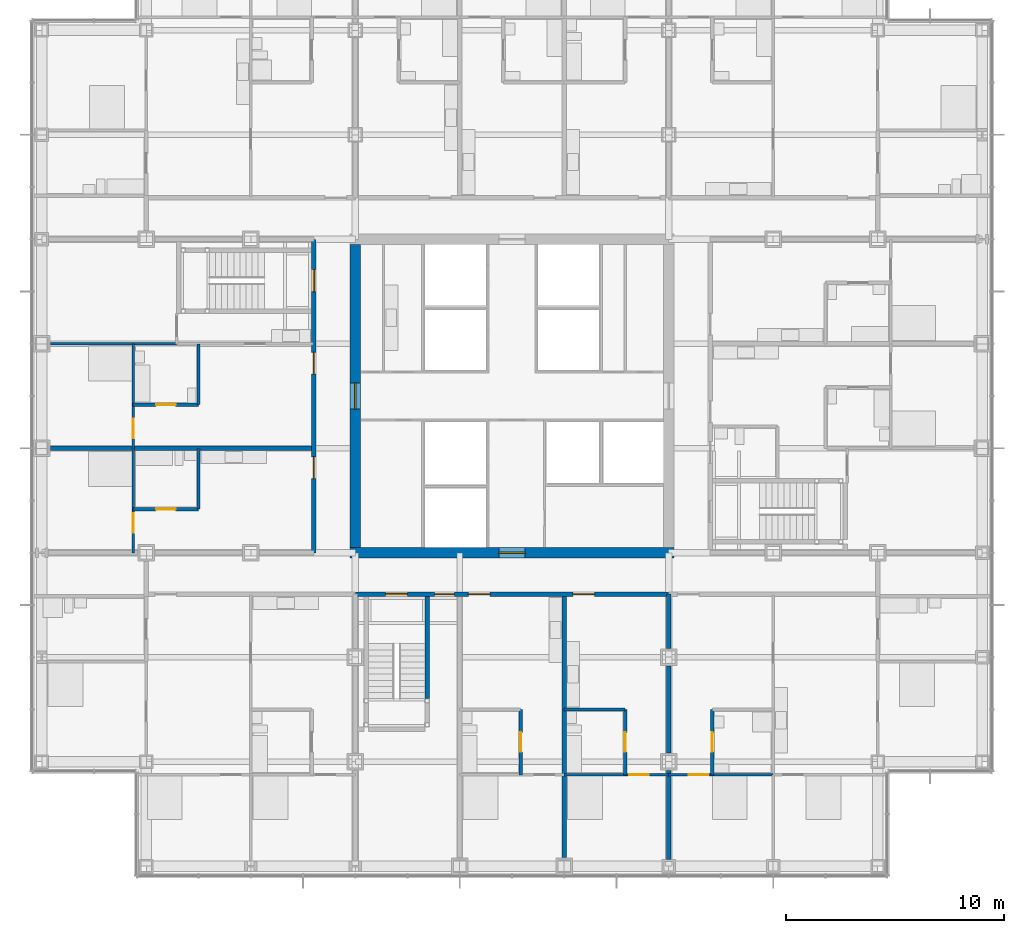
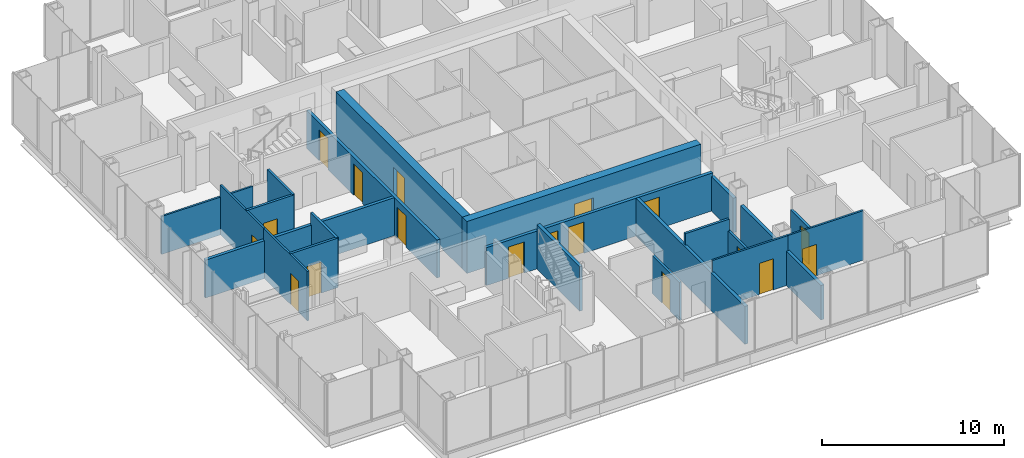
# One storey, part 14 of 21: 23 walls, 18 doors, 18 openings.
"""IFC4 building model written with IfcOpenShell, lengths in metres."""

from ifc_helpers import new_model, si_unit, direction, frame, frame_2d, origin, place, context, subcontext, project, spatial, rectangle, extrude, material, layer, layer_set, type_object, element, fill, save


model = new_model("IFC4")

# Units and contexts
model_context = context("Model", 3, precision=1e-05, world=origin(), true_north=direction((0.0, 1.0)))
body_context = subcontext(model_context, "Body", "Model", "MODEL_VIEW")
ifc_project = project(units=[si_unit("LENGTHUNIT", "METRE"), si_unit("AREAUNIT", "SQUARE_METRE"), si_unit("VOLUMEUNIT", "CUBIC_METRE"), si_unit("PLANEANGLEUNIT", "RADIAN"), si_unit("MASSUNIT", "GRAM", prefix="KILO")], contexts=[model_context])

# Site, building, storey
site_placement = place(None, origin())
site = spatial("IfcSite", under=ifc_project, at=site_placement, CompositionType="ELEMENT")
building_placement = place(site_placement, origin())
building = spatial("IfcBuilding", under=site, at=building_placement, Name="Kvirike Care Tower", CompositionType="ELEMENT")
storey_placement = place(building_placement, frame((0.0, 0.0, 51.5)))
storey = spatial("IfcBuildingStorey", under=building, at=storey_placement, Name="L13", CompositionType="ELEMENT", Elevation=51.5)

# Wall, opening, door
ifc_material_1 = material(Name="Moisture-resistant board partition", Category="gypsum")
ifc_layer_1 = layer(ifc_material_1, 0.14990234375)
ifc_layer_set_1 = layer_set([ifc_layer_1], Name="BATHROOM WALL 150")
wall_type_1 = type_object("IfcWallType", Name="BATHROOM WALL 150", PredefinedType="PARTITIONING", material=ifc_layer_set_1)
wall_1_placement = place(storey_placement, frame((4.199951171875, 35.60009765625, 0.0), z_axis=(0.0, 0.0, 1.0), x_axis=(1.0, 0.0, 0.0)))
wall_1 = element("IfcWall", 1, at=wall_1_placement, inside=storey, type_object=wall_type_1, Name="Bathroom Wall 150 L13", PredefinedType="PARTITIONING", context=body_context, shape_type="SweptSolid", body=[
    extrude(rectangle(XDim=3.0, YDim=0.14990234375, at=frame_2d((1.5, 0.0))), origin(), (0.0, 0.0, 1.0), 3.330078125),
])
opening_1_placement = place(wall_1_placement, frame((1.050048828125, 0.0, 0.0)))
opening_1 = element("IfcOpeningElement", 2, at=opening_1_placement, cuts=wall_1, Name="Opening 13-008", PredefinedType="OPENING", context=body_context, shape_type="SweptSolid", body=[
    extrude(rectangle(XDim=0.89990234375, YDim=2.10009765625, at=frame_2d((0.449951171875, 1.050048828125))), frame((0.0, 0.08544921875, 0.0), z_axis=(0.0, -1.0, 0.0), x_axis=(1.0, 0.0, 0.0)), (0.0, 0.0, 1.0), 0.1708984375),
])
ifc_material_2 = material(Name="Timber door set", Category="wood")
door_type_1 = type_object("IfcDoorType", Name="BATHROOM DOOR 900", OperationType="SINGLE_SWING_RIGHT", PredefinedType="DOOR", material=ifc_material_2)
door_1_placement = place(opening_1_placement, origin())
door_1 = element("IfcDoor", 3, at=door_1_placement, inside=storey, type_object=door_type_1, Name="Bathroom door", OperationType="SINGLE_SWING_RIGHT", OverallHeight=2.10009765625, OverallWidth=0.89990234375, PredefinedType="DOOR", context=body_context, shape_type="SweptSolid", body=[
    extrude(rectangle(XDim=0.89990234375, YDim=2.10009765625, at=frame_2d((0.449951171875, 1.050048828125))), frame((0.0, 0.02197265625, 0.0), z_axis=(0.0, -1.0, 0.0), x_axis=(1.0, 0.0, 0.0)), (0.0, 0.0, 1.0), 0.0439453125),
])
fill(opening_1, door_1)

# Wall
wall_2_placement = place(storey_placement, frame((7.199951171875, 38.39990234375, 0.0), z_axis=(0.0, 0.0, 1.0), x_axis=(0.0, -1.0, 0.0)))
element("IfcWall", 4, at=wall_2_placement, inside=storey, type_object=wall_type_1, Name="Bathroom Wall 150 L13", PredefinedType="PARTITIONING", context=body_context, shape_type="SweptSolid", body=[
    extrude(rectangle(XDim=2.7998046875, YDim=0.14990234375, at=frame_2d((1.39990234375, 0.0))), origin(), (0.0, 0.0, 1.0), 3.330078125),
])

# Wall, opening, door
wall_3_placement = place(storey_placement, frame((4.199951171875, 30.800048828125, 0.0), z_axis=(0.0, 0.0, 1.0), x_axis=(1.0, 0.0, 0.0)))
wall_3 = element("IfcWall", 5, at=wall_3_placement, inside=storey, type_object=wall_type_1, Name="Bathroom Wall 150 L13", PredefinedType="PARTITIONING", context=body_context, shape_type="SweptSolid", body=[
    extrude(rectangle(XDim=3.0, YDim=0.14990234375, at=frame_2d((1.5, 0.0))), origin(), (0.0, 0.0, 1.0), 3.330078125),
])
opening_2_placement = place(wall_3_placement, frame((1.050048828125, 0.0, 0.0)))
opening_2 = element("IfcOpeningElement", 6, at=opening_2_placement, cuts=wall_3, Name="Opening 13-012", PredefinedType="OPENING", context=body_context, shape_type="SweptSolid", body=[
    extrude(rectangle(XDim=0.89990234375, YDim=2.10009765625, at=frame_2d((0.449951171875, 1.050048828125))), frame((0.0, 0.08544921875, 0.0), z_axis=(0.0, -1.0, 0.0), x_axis=(1.0, 0.0, 0.0)), (0.0, 0.0, 1.0), 0.1708984375),
])
door_2_placement = place(opening_2_placement, origin())
door_2 = element("IfcDoor", 7, at=door_2_placement, inside=storey, type_object=door_type_1, Name="Bathroom door", OperationType="SINGLE_SWING_RIGHT", OverallHeight=2.10009765625, OverallWidth=0.89990234375, PredefinedType="DOOR", context=body_context, shape_type="SweptSolid", body=[
    extrude(rectangle(XDim=0.89990234375, YDim=2.10009765625, at=frame_2d((0.449951171875, 1.050048828125))), frame((0.0, 0.02197265625, 0.0), z_axis=(0.0, -1.0, 0.0), x_axis=(1.0, 0.0, 0.0)), (0.0, 0.0, 1.0), 0.0439453125),
])
fill(opening_2, door_2)

# Wall
wall_4_placement = place(storey_placement, frame((7.199951171875, 33.60009765625, 0.0), z_axis=(0.0, 0.0, 1.0), x_axis=(0.0, -1.0, 0.0)))
element("IfcWall", 8, at=wall_4_placement, inside=storey, type_object=wall_type_1, Name="Bathroom Wall 150 L13", PredefinedType="PARTITIONING", context=body_context, shape_type="SweptSolid", body=[
    extrude(rectangle(XDim=2.800048828125, YDim=0.14990234375, at=frame_2d((1.39990234375, 0.0))), origin(), (0.0, 0.0, 1.0), 3.330078125),
])

# Wall, opening, door
wall_5_placement = place(storey_placement, frame((22.0, 18.60009765625, 0.0), z_axis=(0.0, 0.0, 1.0), x_axis=(0.0, 1.0, 0.0)))
wall_5 = element("IfcWall", 9, at=wall_5_placement, inside=storey, type_object=wall_type_1, Name="Bathroom Wall 150 L13", PredefinedType="PARTITIONING", context=body_context, shape_type="SweptSolid", body=[
    extrude(rectangle(XDim=3.0, YDim=0.14990234375, at=frame_2d((1.5, 0.0))), origin(), (0.0, 0.0, 1.0), 2.550048828125),
])
opening_3_placement = place(wall_5_placement, frame((1.050048828125, 0.0, 0.0)))
opening_3 = element("IfcOpeningElement", 10, at=opening_3_placement, cuts=wall_5, Name="Opening 13-024", PredefinedType="OPENING", context=body_context, shape_type="SweptSolid", body=[
    extrude(rectangle(XDim=0.89990234375, YDim=2.10009765625, at=frame_2d((0.449951171875, 1.050048828125))), frame((0.0, 0.08544921875, 0.0), z_axis=(0.0, -1.0, 0.0), x_axis=(1.0, 0.0, 0.0)), (0.0, 0.0, 1.0), 0.1708984375),
])
door_3_placement = place(opening_3_placement, origin())
door_3 = element("IfcDoor", 11, at=door_3_placement, inside=storey, type_object=door_type_1, Name="Bathroom door", OperationType="SINGLE_SWING_LEFT", OverallHeight=2.10009765625, OverallWidth=0.89990234375, PredefinedType="DOOR", context=body_context, shape_type="SweptSolid", body=[
    extrude(rectangle(XDim=0.89990234375, YDim=2.10009765625, at=frame_2d((0.449951171875, 1.050048828125))), frame((0.0, 0.02197265625, 0.0), z_axis=(0.0, -1.0, 0.0), x_axis=(1.0, 0.0, 0.0)), (0.0, 0.0, 1.0), 0.0439453125),
])
fill(opening_3, door_3)

wall_6_placement = place(storey_placement, frame((26.800048828125, 18.60009765625, 0.0), z_axis=(0.0, 0.0, 1.0), x_axis=(0.0, 1.0, 0.0)))
wall_6 = element("IfcWall", 12, at=wall_6_placement, inside=storey, type_object=wall_type_1, Name="Bathroom Wall 150 L13", PredefinedType="PARTITIONING", context=body_context, shape_type="SweptSolid", body=[
    extrude(rectangle(XDim=3.0, YDim=0.14990234375, at=frame_2d((1.5, 0.0))), origin(), (0.0, 0.0, 1.0), 2.550048828125),
])
opening_4_placement = place(wall_6_placement, frame((1.050048828125, 0.0, 0.0)))
opening_4 = element("IfcOpeningElement", 13, at=opening_4_placement, cuts=wall_6, Name="Opening 13-026", PredefinedType="OPENING", context=body_context, shape_type="SweptSolid", body=[
    extrude(rectangle(XDim=0.89990234375, YDim=2.10009765625, at=frame_2d((0.449951171875, 1.050048828125))), frame((0.0, 0.08544921875, 0.0), z_axis=(0.0, -1.0, 0.0), x_axis=(1.0, 0.0, 0.0)), (0.0, 0.0, 1.0), 0.1708984375),
])
door_4_placement = place(opening_4_placement, origin())
door_4 = element("IfcDoor", 14, at=door_4_placement, inside=storey, type_object=door_type_1, Name="Bathroom door", OperationType="SINGLE_SWING_RIGHT", OverallHeight=2.10009765625, OverallWidth=0.89990234375, PredefinedType="DOOR", context=body_context, shape_type="SweptSolid", body=[
    extrude(rectangle(XDim=0.89990234375, YDim=2.10009765625, at=frame_2d((0.449951171875, 1.050048828125))), frame((0.0, 0.02197265625, 0.0), z_axis=(0.0, -1.0, 0.0), x_axis=(1.0, 0.0, 0.0)), (0.0, 0.0, 1.0), 0.0439453125),
])
fill(opening_4, door_4)

# Wall
wall_7_placement = place(storey_placement, frame((24.0, 21.60009765625, 0.0), z_axis=(0.0, 0.0, 1.0), x_axis=(1.0, 0.0, 0.0)))
element("IfcWall", 15, at=wall_7_placement, inside=storey, type_object=wall_type_1, Name="Bathroom Wall 150 L13", PredefinedType="PARTITIONING", context=body_context, shape_type="SweptSolid", body=[
    extrude(rectangle(XDim=2.800048828125, YDim=0.14990234375, at=frame_2d((1.39990234375, 0.0))), origin(), (0.0, 0.0, 1.0), 3.330078125),
])

# Wall, opening, door
wall_8_placement = place(storey_placement, frame((30.800048828125, 18.60009765625, 0.0), z_axis=(0.0, 0.0, 1.0), x_axis=(0.0, 1.0, 0.0)))
wall_8 = element("IfcWall", 16, at=wall_8_placement, inside=storey, type_object=wall_type_1, Name="Bathroom Wall 150 L13", PredefinedType="PARTITIONING", context=body_context, shape_type="SweptSolid", body=[
    extrude(rectangle(XDim=3.0, YDim=0.14990234375, at=frame_2d((1.5, 0.0))), origin(), (0.0, 0.0, 1.0), 2.550048828125),
])
opening_5_placement = place(wall_8_placement, frame((1.050048828125, 0.0, 0.0)))
opening_5 = element("IfcOpeningElement", 17, at=opening_5_placement, cuts=wall_8, Name="Opening 13-041", PredefinedType="OPENING", context=body_context, shape_type="SweptSolid", body=[
    extrude(rectangle(XDim=0.89990234375, YDim=2.10009765625, at=frame_2d((0.449951171875, 1.050048828125))), frame((0.0, 0.08544921875, 0.0), z_axis=(0.0, -1.0, 0.0), x_axis=(1.0, 0.0, 0.0)), (0.0, 0.0, 1.0), 0.1708984375),
])
door_5_placement = place(opening_5_placement, frame((0.89990234375, 0.0, 0.0), z_axis=(0.0, 0.0, 1.0), x_axis=(-1.0, 0.0, 0.0)))
door_5 = element("IfcDoor", 18, at=door_5_placement, inside=storey, type_object=door_type_1, Name="Shower room door", OperationType="SINGLE_SWING_LEFT", OverallHeight=2.10009765625, OverallWidth=0.89990234375, PredefinedType="DOOR", context=body_context, shape_type="SweptSolid", body=[
    extrude(rectangle(XDim=0.89990234375, YDim=2.10009765625, at=frame_2d((0.449951171875, 1.050048828125))), frame((0.0, 0.02197265625, 0.0), z_axis=(0.0, -1.0, 0.0), x_axis=(1.0, 0.0, 0.0)), (0.0, 0.0, 1.0), 0.0439453125),
])
fill(opening_5, door_5)

ifc_material_3 = material(Name="Concrete C60/75", Category="concrete")
ifc_layer_2 = layer(ifc_material_3, 0.5)
ifc_layer_set_2 = layer_set([ifc_layer_2], Name="CORE WALL 500 C60-75")
wall_type_2 = type_object("IfcWallType", Name="CORE WALL 500 C60-75", PredefinedType="SHEAR", material=ifc_layer_set_2)
wall_9_placement = place(storey_placement, frame((14.14990234375, 28.800048828125, -0.169921875), z_axis=(0.0, 0.0, 1.0), x_axis=(1.0, 0.0, 0.0)))
wall_9 = element("IfcWall", 19, at=wall_9_placement, inside=storey, type_object=wall_type_2, Name="Core wall S L13", PredefinedType="SHEAR", context=body_context, shape_type="SweptSolid", body=[
    extrude(rectangle(XDim=14.900146484375, YDim=0.5, at=frame_2d((7.4501953125, 0.0))), origin(), (0.0, 0.0, 1.0), 3.5),
])
opening_6_placement = place(wall_9_placement, frame((6.85009765625, 0.0, 0.169921875)))
opening_6 = element("IfcOpeningElement", 20, at=opening_6_placement, cuts=wall_9, Name="Opening 13-075", PredefinedType="OPENING", context=body_context, shape_type="SweptSolid", body=[
    extrude(rectangle(XDim=1.199951171875, YDim=2.10009765625, at=frame_2d((0.60009765625, 1.050048828125))), frame((0.0, 0.260498046875, 0.0), z_axis=(0.0, -1.0, 0.0), x_axis=(1.0, 0.0, 0.0)), (0.0, 0.0, 1.0), 0.52099609375),
])
ifc_material_4 = material(Name="Timber door set", Category="wood")
door_type_2 = type_object("IfcDoorType", Name="CORE DOOR 1200", OperationType="SINGLE_SWING_LEFT", PredefinedType="DOOR", material=ifc_material_4)
door_6_placement = place(opening_6_placement, origin())
door_6 = element("IfcDoor", 21, at=door_6_placement, inside=storey, type_object=door_type_2, Name="Core door S L13", OperationType="SINGLE_SWING_LEFT", OverallHeight=2.10009765625, OverallWidth=1.199951171875, PredefinedType="DOOR", context=body_context, shape_type="SweptSolid", body=[
    extrude(rectangle(XDim=1.199951171875, YDim=2.10009765625, at=frame_2d((0.60009765625, 1.050048828125))), frame((0.0, 0.02685546875, 0.0), z_axis=(0.0, -1.0, 0.0), x_axis=(1.0, 0.0, 0.0)), (0.0, 0.0, 1.0), 0.053955078125),
])
fill(opening_6, door_6)

wall_10_placement = place(storey_placement, frame((14.39990234375, 42.949951171875, -0.169921875), z_axis=(0.0, 0.0, 1.0), x_axis=(0.0, -1.0, 0.0)))
wall_10 = element("IfcWall", 22, at=wall_10_placement, inside=storey, type_object=wall_type_2, Name="Core wall W L13", PredefinedType="SHEAR", context=body_context, shape_type="SweptSolid", body=[
    extrude(rectangle(XDim=13.89990234375, YDim=0.5, at=frame_2d((6.949951171875, 0.0))), origin(), (0.0, 0.0, 1.0), 3.5),
])
opening_7_placement = place(wall_10_placement, frame((6.35009765625, 0.0, 0.169921875)))
opening_7 = element("IfcOpeningElement", 23, at=opening_7_placement, cuts=wall_10, Name="Opening 13-076", PredefinedType="OPENING", context=body_context, shape_type="SweptSolid", body=[
    extrude(rectangle(XDim=1.199951171875, YDim=2.10009765625, at=frame_2d((0.60009765625, 1.050048828125))), frame((0.0, 0.260498046875, 0.0), z_axis=(0.0, -1.0, 0.0), x_axis=(1.0, 0.0, 0.0)), (0.0, 0.0, 1.0), 0.52099609375),
])
door_7_placement = place(opening_7_placement, origin())
door_7 = element("IfcDoor", 24, at=door_7_placement, inside=storey, type_object=door_type_2, Name="Core door W L13", OperationType="SINGLE_SWING_LEFT", OverallHeight=2.10009765625, OverallWidth=1.199951171875, PredefinedType="DOOR", context=body_context, shape_type="SweptSolid", body=[
    extrude(rectangle(XDim=1.199951171875, YDim=2.10009765625, at=frame_2d((0.60009765625, 1.050048828125))), frame((0.0, 0.02685546875, 0.0), z_axis=(0.0, -1.0, 0.0), x_axis=(1.0, 0.0, 0.0)), (0.0, 0.0, 1.0), 0.053955078125),
])
fill(opening_7, door_7)

# Wall, openings, doors
ifc_material_5 = material(Name="Plasterboard corridor wall", Category="gypsum")
ifc_layer_3 = layer(ifc_material_5, 0.199951171875)
ifc_layer_set_3 = layer_set([ifc_layer_3], Name="CORRIDOR WALL 200")
wall_type_3 = type_object("IfcWallType", Name="CORRIDOR WALL 200", PredefinedType="PARTITIONING", material=ifc_layer_set_3)
wall_11_placement = place(storey_placement, frame((12.5, 43.199951171875, 0.0), z_axis=(0.0, 0.0, 1.0), x_axis=(0.0, -1.0, 0.0)))
wall_11 = element("IfcWall", 25, at=wall_11_placement, inside=storey, type_object=wall_type_3, Name="Corridor Wall 200 L13", PredefinedType="PARTITIONING", context=body_context, shape_type="SweptSolid", body=[
    extrude(rectangle(XDim=14.39990234375, YDim=0.199951171875, at=frame_2d((7.199951171875, 0.0))), origin(), (0.0, 0.0, 1.0), 2.550048828125),
])
opening_8_placement = place(wall_11_placement, frame((1.39990234375, 0.0, 0.0)))
opening_8 = element("IfcOpeningElement", 26, at=opening_8_placement, cuts=wall_11, Name="Opening 13-014", PredefinedType="OPENING", context=body_context, shape_type="SweptSolid", body=[
    extrude(rectangle(XDim=1.0, YDim=2.10009765625, at=frame_2d((0.5, 1.050048828125))), frame((0.0, 0.110595703125, 0.0), z_axis=(0.0, -1.0, 0.0), x_axis=(1.0, 0.0, 0.0)), (0.0, 0.0, 1.0), 0.220947265625),
])
opening_9_placement = place(wall_11_placement, frame((5.199951171875, 0.0, 0.0)))
opening_9 = element("IfcOpeningElement", 27, at=opening_9_placement, cuts=wall_11, Name="Opening 13-015", PredefinedType="OPENING", context=body_context, shape_type="SweptSolid", body=[
    extrude(rectangle(XDim=1.0, YDim=2.10009765625, at=frame_2d((0.5, 1.050048828125))), frame((0.0, 0.110595703125, 0.0), z_axis=(0.0, -1.0, 0.0), x_axis=(1.0, 0.0, 0.0)), (0.0, 0.0, 1.0), 0.220947265625),
])
opening_10_placement = place(wall_11_placement, frame((10.0, 0.0, 0.0)))
opening_10 = element("IfcOpeningElement", 28, at=opening_10_placement, cuts=wall_11, Name="Opening 13-016", PredefinedType="OPENING", context=body_context, shape_type="SweptSolid", body=[
    extrude(rectangle(XDim=1.0, YDim=2.10009765625, at=frame_2d((0.5, 1.050048828125))), frame((0.0, 0.110595703125, 0.0), z_axis=(0.0, -1.0, 0.0), x_axis=(1.0, 0.0, 0.0)), (0.0, 0.0, 1.0), 0.220947265625),
])
ifc_material_6 = material(Name="Timber door set", Category="wood")
door_type_3 = type_object("IfcDoorType", Name="FLAT ENTRANCE DOOR 1000", OperationType="SINGLE_SWING_LEFT", PredefinedType="DOOR", material=ifc_material_6)
door_8_placement = place(opening_9_placement, frame((1.0, 0.0, 0.0), z_axis=(0.0, 0.0, 1.0), x_axis=(-1.0, 0.0, 0.0)))
door_8 = element("IfcDoor", 29, at=door_8_placement, inside=storey, type_object=door_type_3, Name="One-bedroom apartment entrance", OperationType="SINGLE_SWING_LEFT", OverallHeight=2.10009765625, OverallWidth=1.0, PredefinedType="DOOR", context=body_context, shape_type="SweptSolid", body=[
    extrude(rectangle(XDim=1.0, YDim=2.10009765625, at=frame_2d((0.5, 1.050048828125))), frame((0.0, 0.02685546875, 0.0), z_axis=(0.0, -1.0, 0.0), x_axis=(1.0, 0.0, 0.0)), (0.0, 0.0, 1.0), 0.053955078125),
])
fill(opening_9, door_8)
door_9_placement = place(opening_10_placement, frame((1.0, 0.0, 0.0), z_axis=(0.0, 0.0, 1.0), x_axis=(-1.0, 0.0, 0.0)))
door_9 = element("IfcDoor", 30, at=door_9_placement, inside=storey, type_object=door_type_3, Name="Studio apartment entrance", OperationType="SINGLE_SWING_LEFT", OverallHeight=2.10009765625, OverallWidth=1.0, PredefinedType="DOOR", context=body_context, shape_type="SweptSolid", body=[
    extrude(rectangle(XDim=1.0, YDim=2.10009765625, at=frame_2d((0.5, 1.050048828125))), frame((0.0, 0.02685546875, 0.0), z_axis=(0.0, -1.0, 0.0), x_axis=(1.0, 0.0, 0.0)), (0.0, 0.0, 1.0), 0.053955078125),
])
fill(opening_10, door_9)
ifc_material_7 = material(Name="Timber door set", Category="wood")
door_type_4 = type_object("IfcDoorType", Name="STAIR DOOR 1000", OperationType="SINGLE_SWING_LEFT", PredefinedType="DOOR", material=ifc_material_7)
door_10_placement = place(opening_8_placement, frame((1.0, 0.0, 0.0), z_axis=(0.0, 0.0, 1.0), x_axis=(-1.0, 0.0, 0.0)))
door_10 = element("IfcDoor", 31, at=door_10_placement, inside=storey, type_object=door_type_4, Name="Stair 1 door", OperationType="SINGLE_SWING_LEFT", OverallHeight=2.10009765625, OverallWidth=1.0, PredefinedType="DOOR", context=body_context, shape_type="SweptSolid", body=[
    extrude(rectangle(XDim=1.0, YDim=2.10009765625, at=frame_2d((0.5, 1.050048828125))), frame((0.0, 0.031982421875, 0.0), z_axis=(0.0, -1.0, 0.0), x_axis=(1.0, 0.0, 0.0)), (0.0, 0.0, 1.0), 0.06396484375),
])
fill(opening_8, door_10)

wall_12_placement = place(storey_placement, frame((14.39990234375, 26.89990234375, 0.0), z_axis=(0.0, 0.0, 1.0), x_axis=(1.0, 0.0, 0.0)))
wall_12 = element("IfcWall", 32, at=wall_12_placement, inside=storey, type_object=wall_type_3, Name="Corridor Wall 200 L13", PredefinedType="PARTITIONING", context=body_context, shape_type="SweptSolid", body=[
    extrude(rectangle(XDim=14.400146484375, YDim=0.199951171875, at=frame_2d((7.2001953125, 0.0))), origin(), (0.0, 0.0, 1.0), 2.550048828125),
])
opening_11_placement = place(wall_12_placement, frame((1.39990234375, 0.0, 0.0)))
opening_11 = element("IfcOpeningElement", 33, at=opening_11_placement, cuts=wall_12, Name="Opening 13-028", PredefinedType="OPENING", context=body_context, shape_type="SweptSolid", body=[
    extrude(rectangle(XDim=1.0, YDim=2.10009765625, at=frame_2d((0.5, 1.050048828125))), frame((0.0, 0.110595703125, 0.0), z_axis=(0.0, -1.0, 0.0), x_axis=(1.0, 0.0, 0.0)), (0.0, 0.0, 1.0), 0.220947265625),
])
opening_12_placement = place(wall_12_placement, frame((3.64990234375, 0.0, 0.0)))
opening_12 = element("IfcOpeningElement", 34, at=opening_12_placement, cuts=wall_12, Name="Opening 13-029", PredefinedType="OPENING", context=body_context, shape_type="SweptSolid", body=[
    extrude(rectangle(XDim=0.89990234375, YDim=2.10009765625, at=frame_2d((0.449951171875, 1.050048828125))), frame((0.0, 0.110595703125, 0.0), z_axis=(0.0, -1.0, 0.0), x_axis=(1.0, 0.0, 0.0)), (0.0, 0.0, 1.0), 0.220947265625),
])
opening_13_placement = place(wall_12_placement, frame((5.199951171875, 0.0, 0.0)))
opening_13 = element("IfcOpeningElement", 35, at=opening_13_placement, cuts=wall_12, Name="Opening 13-030", PredefinedType="OPENING", context=body_context, shape_type="SweptSolid", body=[
    extrude(rectangle(XDim=1.0, YDim=2.10009765625, at=frame_2d((0.5, 1.050048828125))), frame((0.0, 0.110595703125, 0.0), z_axis=(0.0, -1.0, 0.0), x_axis=(1.0, 0.0, 0.0)), (0.0, 0.0, 1.0), 0.220947265625),
])
opening_14_placement = place(wall_12_placement, frame((10.0, 0.0, 0.0)))
opening_14 = element("IfcOpeningElement", 36, at=opening_14_placement, cuts=wall_12, Name="Opening 13-031", PredefinedType="OPENING", context=body_context, shape_type="SweptSolid", body=[
    extrude(rectangle(XDim=1.0, YDim=2.10009765625, at=frame_2d((0.5, 1.050048828125))), frame((0.0, 0.110595703125, 0.0), z_axis=(0.0, -1.0, 0.0), x_axis=(1.0, 0.0, 0.0)), (0.0, 0.0, 1.0), 0.220947265625),
])
door_11_placement = place(opening_13_placement, frame((1.0, 0.0, 0.0), z_axis=(0.0, 0.0, 1.0), x_axis=(-1.0, 0.0, 0.0)))
door_11 = element("IfcDoor", 37, at=door_11_placement, inside=storey, type_object=door_type_3, Name="Studio apartment entrance", OperationType="SINGLE_SWING_LEFT", OverallHeight=2.10009765625, OverallWidth=1.0, PredefinedType="DOOR", context=body_context, shape_type="SweptSolid", body=[
    extrude(rectangle(XDim=1.0, YDim=2.10009765625, at=frame_2d((0.5, 1.050048828125))), frame((0.0, 0.02685546875, 0.0), z_axis=(0.0, -1.0, 0.0), x_axis=(1.0, 0.0, 0.0)), (0.0, 0.0, 1.0), 0.053955078125),
])
fill(opening_13, door_11)
door_12_placement = place(opening_14_placement, frame((1.0, 0.0, 0.0), z_axis=(0.0, 0.0, 1.0), x_axis=(-1.0, 0.0, 0.0)))
door_12 = element("IfcDoor", 38, at=door_12_placement, inside=storey, type_object=door_type_3, Name="Studio apartment entrance", OperationType="SINGLE_SWING_LEFT", OverallHeight=2.10009765625, OverallWidth=1.0, PredefinedType="DOOR", context=body_context, shape_type="SweptSolid", body=[
    extrude(rectangle(XDim=1.0, YDim=2.10009765625, at=frame_2d((0.5, 1.050048828125))), frame((0.0, 0.02685546875, 0.0), z_axis=(0.0, -1.0, 0.0), x_axis=(1.0, 0.0, 0.0)), (0.0, 0.0, 1.0), 0.053955078125),
])
fill(opening_14, door_12)
door_13_placement = place(opening_11_placement, frame((1.0, 0.0, 0.0), z_axis=(0.0, 0.0, 1.0), x_axis=(-1.0, 0.0, 0.0)))
door_13 = element("IfcDoor", 39, at=door_13_placement, inside=storey, type_object=door_type_4, Name="Stair 5 door", OperationType="SINGLE_SWING_LEFT", OverallHeight=2.10009765625, OverallWidth=1.0, PredefinedType="DOOR", context=body_context, shape_type="SweptSolid", body=[
    extrude(rectangle(XDim=1.0, YDim=2.10009765625, at=frame_2d((0.5, 1.050048828125))), frame((0.0, 0.031982421875, 0.0), z_axis=(0.0, -1.0, 0.0), x_axis=(1.0, 0.0, 0.0)), (0.0, 0.0, 1.0), 0.06396484375),
])
fill(opening_11, door_13)
ifc_material_8 = material(Name="Timber door set", Category="wood")
door_type_5 = type_object("IfcDoorType", Name="STORE DOOR 900", OperationType="SINGLE_SWING_LEFT", PredefinedType="DOOR", material=ifc_material_8)
door_14_placement = place(opening_12_placement, frame((0.89990234375, 0.0, 0.0), z_axis=(0.0, 0.0, 1.0), x_axis=(-1.0, 0.0, 0.0)))
door_14 = element("IfcDoor", 40, at=door_14_placement, inside=storey, type_object=door_type_5, Name="Housekeeping room door", OperationType="SINGLE_SWING_LEFT", OverallHeight=2.10009765625, OverallWidth=0.89990234375, PredefinedType="DOOR", context=body_context, shape_type="SweptSolid", body=[
    extrude(rectangle(XDim=0.89990234375, YDim=2.10009765625, at=frame_2d((0.449951171875, 1.050048828125))), frame((0.0, 0.02685546875, 0.0), z_axis=(0.0, -1.0, 0.0), x_axis=(1.0, 0.0, 0.0)), (0.0, 0.0, 1.0), 0.053955078125),
])
fill(opening_12, door_14)

# Wall, opening, door
ifc_material_9 = material(Name="Plasterboard partition", Category="gypsum")
ifc_layer_4 = layer(ifc_material_9, 0.1201171875)
ifc_layer_set_4 = layer_set([ifc_layer_4], Name="PARTITION 120")
wall_type_4 = type_object("IfcWallType", Name="PARTITION 120", PredefinedType="PARTITIONING", material=ifc_layer_set_4)
wall_13_placement = place(storey_placement, frame((4.199951171875, 38.39990234375, 0.0), z_axis=(0.0, 0.0, 1.0), x_axis=(0.0, -1.0, 0.0)))
wall_13 = element("IfcWall", 41, at=wall_13_placement, inside=storey, type_object=wall_type_4, Name="Partition 120 L13", PredefinedType="PARTITIONING", context=body_context, shape_type="SweptSolid", body=[
    extrude(rectangle(XDim=4.7998046875, YDim=0.1201171875, at=frame_2d((2.39990234375, 0.0))), origin(), (0.0, 0.0, 1.0), 3.330078125),
])
opening_15_placement = place(wall_13_placement, frame((3.449951171875, 0.0, 0.0)))
opening_15 = element("IfcOpeningElement", 42, at=opening_15_placement, cuts=wall_13, Name="Opening 13-011", PredefinedType="OPENING", context=body_context, shape_type="SweptSolid", body=[
    extrude(rectangle(XDim=0.89990234375, YDim=2.10009765625, at=frame_2d((0.449951171875, 1.050048828125))), frame((0.0, 0.070556640625, 0.0), z_axis=(0.0, -1.0, 0.0), x_axis=(1.0, 0.0, 0.0)), (0.0, 0.0, 1.0), 0.14111328125),
])
ifc_material_10 = material(Name="Timber door set", Category="wood")
door_type_6 = type_object("IfcDoorType", Name="INTERNAL DOOR 900", OperationType="SINGLE_SWING_LEFT", PredefinedType="DOOR", material=ifc_material_10)
door_15_placement = place(opening_15_placement, frame((0.89990234375, 0.0, 0.0), z_axis=(0.0, 0.0, 1.0), x_axis=(-1.0, 0.0, 0.0)))
door_15 = element("IfcDoor", 43, at=door_15_placement, inside=storey, type_object=door_type_6, Name="Apartment bedroom door", OperationType="SINGLE_SWING_RIGHT", OverallHeight=2.10009765625, OverallWidth=0.89990234375, PredefinedType="DOOR", context=body_context, shape_type="SweptSolid", body=[
    extrude(rectangle(XDim=0.89990234375, YDim=2.10009765625, at=frame_2d((0.449951171875, 1.050048828125))), frame((0.0, 0.02197265625, 0.0), z_axis=(0.0, -1.0, 0.0), x_axis=(1.0, 0.0, 0.0)), (0.0, 0.0, 1.0), 0.0439453125),
])
fill(opening_15, door_15)

# Wall
wall_14_placement = place(storey_placement, frame((0.39501953125, 38.39990234375, 0.0), z_axis=(0.0, 0.0, 1.0), x_axis=(1.0, 0.0, 0.0)))
element("IfcWall", 44, at=wall_14_placement, inside=storey, type_object=wall_type_4, Name="Partition 120 L13", PredefinedType="PARTITIONING", context=body_context, shape_type="SweptSolid", body=[
    extrude(rectangle(XDim=5.804931640625, YDim=0.1201171875, at=frame_2d((2.90234375, 0.0))), origin(), (0.0, 0.0, 1.0), 2.550048828125),
])

# Wall, opening, door
wall_15_placement = place(storey_placement, frame((4.199951171875, 33.60009765625, 0.0), z_axis=(0.0, 0.0, 1.0), x_axis=(0.0, -1.0, 0.0)))
wall_15 = element("IfcWall", 45, at=wall_15_placement, inside=storey, type_object=wall_type_4, Name="Partition 120 L13", PredefinedType="PARTITIONING", context=body_context, shape_type="SweptSolid", body=[
    extrude(rectangle(XDim=4.800048828125, YDim=0.1201171875, at=frame_2d((2.39990234375, 0.0))), origin(), (0.0, 0.0, 1.0), 3.330078125),
])
opening_16_placement = place(wall_15_placement, frame((2.97509765625, 0.0, 0.0)))
opening_16 = element("IfcOpeningElement", 46, at=opening_16_placement, cuts=wall_15, Name="Opening 13-013", PredefinedType="OPENING", context=body_context, shape_type="SweptSolid", body=[
    extrude(rectangle(XDim=0.89990234375, YDim=2.10009765625, at=frame_2d((0.449951171875, 1.050048828125))), frame((0.0, 0.070556640625, 0.0), z_axis=(0.0, -1.0, 0.0), x_axis=(1.0, 0.0, 0.0)), (0.0, 0.0, 1.0), 0.14111328125),
])
door_16_placement = place(opening_16_placement, frame((0.89990234375, 0.0, 0.0), z_axis=(0.0, 0.0, 1.0), x_axis=(-1.0, 0.0, 0.0)))
door_16 = element("IfcDoor", 47, at=door_16_placement, inside=storey, type_object=door_type_6, Name="Studio apartment living room door", OperationType="SINGLE_SWING_RIGHT", OverallHeight=2.10009765625, OverallWidth=0.89990234375, PredefinedType="DOOR", context=body_context, shape_type="SweptSolid", body=[
    extrude(rectangle(XDim=0.89990234375, YDim=2.10009765625, at=frame_2d((0.449951171875, 1.050048828125))), frame((0.0, 0.02197265625, 0.0), z_axis=(0.0, -1.0, 0.0), x_axis=(1.0, 0.0, 0.0)), (0.0, 0.0, 1.0), 0.0439453125),
])
fill(opening_16, door_16)

wall_16_placement = place(storey_placement, frame((24.0, 18.60009765625, 0.0), z_axis=(0.0, 0.0, 1.0), x_axis=(1.0, 0.0, 0.0)))
wall_16 = element("IfcWall", 48, at=wall_16_placement, inside=storey, type_object=wall_type_4, Name="Partition 120 L13", PredefinedType="PARTITIONING", context=body_context, shape_type="SweptSolid", body=[
    extrude(rectangle(XDim=4.800048828125, YDim=0.1201171875, at=frame_2d((2.39990234375, 0.0))), origin(), (0.0, 0.0, 1.0), 3.330078125),
])
opening_17_placement = place(wall_16_placement, frame((2.97509765625, 0.0, 0.0)))
opening_17 = element("IfcOpeningElement", 49, at=opening_17_placement, cuts=wall_16, Name="Opening 13-027", PredefinedType="OPENING", context=body_context, shape_type="SweptSolid", body=[
    extrude(rectangle(XDim=0.89990234375, YDim=2.10009765625, at=frame_2d((0.449951171875, 1.050048828125))), frame((0.0, 0.070556640625, 0.0), z_axis=(0.0, -1.0, 0.0), x_axis=(1.0, 0.0, 0.0)), (0.0, 0.0, 1.0), 0.14111328125),
])
door_17_placement = place(opening_17_placement, frame((0.89990234375, 0.0, 0.0), z_axis=(0.0, 0.0, 1.0), x_axis=(-1.0, 0.0, 0.0)))
door_17 = element("IfcDoor", 50, at=door_17_placement, inside=storey, type_object=door_type_6, Name="Studio apartment living room door", OperationType="SINGLE_SWING_RIGHT", OverallHeight=2.10009765625, OverallWidth=0.89990234375, PredefinedType="DOOR", context=body_context, shape_type="SweptSolid", body=[
    extrude(rectangle(XDim=0.89990234375, YDim=2.10009765625, at=frame_2d((0.449951171875, 1.050048828125))), frame((0.0, 0.02197265625, 0.0), z_axis=(0.0, -1.0, 0.0), x_axis=(1.0, 0.0, 0.0)), (0.0, 0.0, 1.0), 0.0439453125),
])
fill(opening_17, door_17)

wall_17_placement = place(storey_placement, frame((28.800048828125, 18.60009765625, 0.0), z_axis=(0.0, 0.0, 1.0), x_axis=(1.0, 0.0, 0.0)))
wall_17 = element("IfcWall", 51, at=wall_17_placement, inside=storey, type_object=wall_type_4, Name="Partition 120 L13", PredefinedType="PARTITIONING", context=body_context, shape_type="SweptSolid", body=[
    extrude(rectangle(XDim=4.800048828125, YDim=0.1201171875, at=frame_2d((2.39990234375, 0.0))), origin(), (0.0, 0.0, 1.0), 3.330078125),
])
opening_18_placement = place(wall_17_placement, frame((0.925048828125, 0.0, 0.0)))
opening_18 = element("IfcOpeningElement", 52, at=opening_18_placement, cuts=wall_17, Name="Opening 13-044", PredefinedType="OPENING", context=body_context, shape_type="SweptSolid", body=[
    extrude(rectangle(XDim=0.89990234375, YDim=2.10009765625, at=frame_2d((0.449951171875, 1.050048828125))), frame((0.0, 0.070556640625, 0.0), z_axis=(0.0, -1.0, 0.0), x_axis=(1.0, 0.0, 0.0)), (0.0, 0.0, 1.0), 0.14111328125),
])
door_18_placement = place(opening_18_placement, frame((0.89990234375, 0.0, 0.0), z_axis=(0.0, 0.0, 1.0), x_axis=(-1.0, 0.0, 0.0)))
door_18 = element("IfcDoor", 53, at=door_18_placement, inside=storey, type_object=door_type_6, Name="Apartment bedroom door", OperationType="SINGLE_SWING_RIGHT", OverallHeight=2.10009765625, OverallWidth=0.89990234375, PredefinedType="DOOR", context=body_context, shape_type="SweptSolid", body=[
    extrude(rectangle(XDim=0.89990234375, YDim=2.10009765625, at=frame_2d((0.449951171875, 1.050048828125))), frame((0.0, 0.02197265625, 0.0), z_axis=(0.0, -1.0, 0.0), x_axis=(1.0, 0.0, 0.0)), (0.0, 0.0, 1.0), 0.0439453125),
])
fill(opening_18, door_18)

# Walls
ifc_material_11 = material(Name="Plasterboard party wall", Category="gypsum")
ifc_layer_5 = layer(ifc_material_11, 0.199951171875)
ifc_layer_set_5 = layer_set([ifc_layer_5], Name="PARTY WALL 200")
wall_type_5 = type_object("IfcWallType", Name="PARTY WALL 200", PredefinedType="PARTITIONING", material=ifc_layer_set_5)
wall_18_placement = place(storey_placement, frame((0.39501953125, 33.60009765625, 0.0), z_axis=(0.0, 0.0, 1.0), x_axis=(1.0, 0.0, 0.0)))
element("IfcWall", 54, at=wall_18_placement, inside=storey, type_object=wall_type_5, Name="Party Wall 200 L13", PredefinedType="PARTITIONING", context=body_context, shape_type="SweptSolid", body=[
    extrude(rectangle(XDim=12.0048828125, YDim=0.199951171875, at=frame_2d((6.00244140625, 0.0))), origin(), (0.0, 0.0, 1.0), 2.550048828125),
])
wall_19_placement = place(storey_placement, frame((24.0, 14.794921875, 0.0), z_axis=(0.0, 0.0, 1.0), x_axis=(0.0, 1.0, 0.0)))
element("IfcWall", 55, at=wall_19_placement, inside=storey, type_object=wall_type_5, Name="Party Wall 200 L13", PredefinedType="PARTITIONING", context=body_context, shape_type="SweptSolid", body=[
    extrude(rectangle(XDim=12.005126953125, YDim=0.199951171875, at=frame_2d((6.00244140625, 0.0))), origin(), (0.0, 0.0, 1.0), 2.550048828125),
])
wall_20_placement = place(storey_placement, frame((28.800048828125, 14.719970703125, 0.0), z_axis=(0.0, 0.0, 1.0), x_axis=(0.0, 1.0, 0.0)))
element("IfcWall", 56, at=wall_20_placement, inside=storey, type_object=wall_type_5, Name="Party Wall 200 L13", PredefinedType="PARTITIONING", context=body_context, shape_type="SweptSolid", body=[
    extrude(rectangle(XDim=4.0849609375, YDim=0.199951171875, at=frame_2d((2.04248046875, 0.0))), origin(), (0.0, 0.0, 1.0), 2.320068359375),
])
wall_21_placement = place(storey_placement, frame((28.800048828125, 19.594970703125, 0.0), z_axis=(0.0, 0.0, 1.0), x_axis=(0.0, 1.0, 0.0)))
element("IfcWall", 57, at=wall_21_placement, inside=storey, type_object=wall_type_5, Name="Party Wall 200 L13", PredefinedType="PARTITIONING", context=body_context, shape_type="SweptSolid", body=[
    extrude(rectangle(XDim=4.010009765625, YDim=0.199951171875, at=frame_2d((2.0048828125, 0.0))), origin(), (0.0, 0.0, 1.0), 2.320068359375),
])
wall_22_placement = place(storey_placement, frame((28.800048828125, 24.39501953125, 0.0), z_axis=(0.0, 0.0, 1.0), x_axis=(0.0, 1.0, 0.0)))
element("IfcWall", 58, at=wall_22_placement, inside=storey, type_object=wall_type_5, Name="Party Wall 200 L13", PredefinedType="PARTITIONING", context=body_context, shape_type="SweptSolid", body=[
    extrude(rectangle(XDim=2.5048828125, YDim=0.199951171875, at=frame_2d((1.25244140625, 0.0))), origin(), (0.0, 0.0, 1.0), 2.320068359375),
])
ifc_material_12 = material(Name="Concrete C40/50", Category="concrete")
ifc_layer_6 = layer(ifc_material_12, 0.199951171875)
ifc_layer_set_6 = layer_set([ifc_layer_6], Name="STAIR WALL 200")
wall_type_6 = type_object("IfcWallType", Name="STAIR WALL 200", PredefinedType="SOLIDWALL", material=ifc_layer_set_6)
wall_23_placement = place(storey_placement, frame((17.699951171875, 22.10009765625, 0.0), z_axis=(0.0, 0.0, 1.0), x_axis=(0.0, 1.0, 0.0)))
element("IfcWall", 59, at=wall_23_placement, inside=storey, type_object=wall_type_6, Name="Stair Wall 200 L13", PredefinedType="SOLIDWALL", context=body_context, shape_type="SweptSolid", body=[
    extrude(rectangle(XDim=4.699951171875, YDim=0.199951171875, at=frame_2d((2.35009765625, 0.0))), origin(), (0.0, 0.0, 1.0), 2.989990234375),
])

save(model, "model.ifc")
